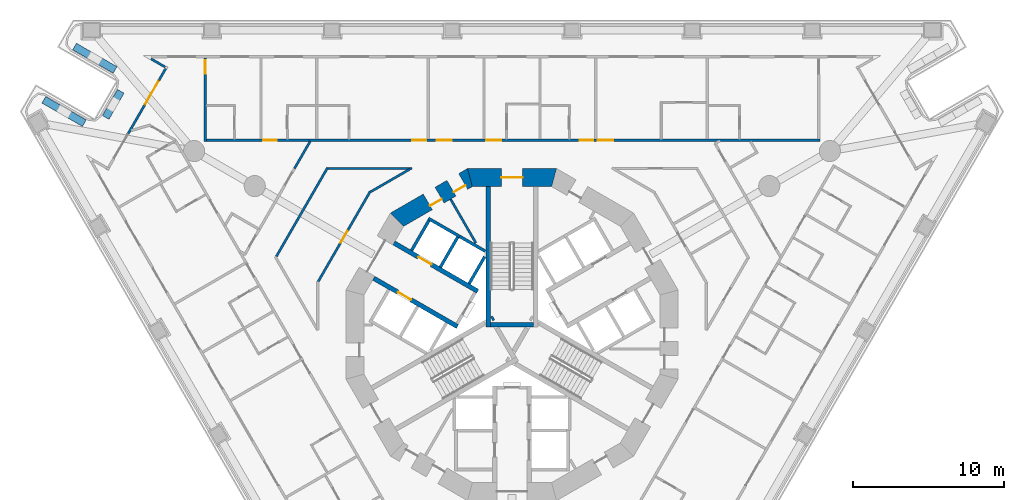
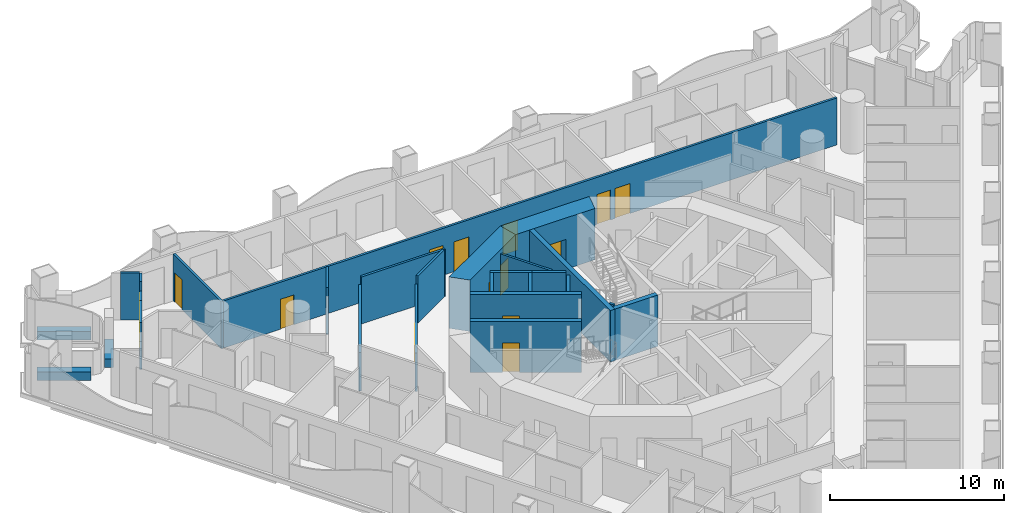
# One storey, part 7 of 20: 27 walls, 14 doors, 14 openings.
"""IFC4 building model written with IfcOpenShell, lengths in metres."""

from ifc_helpers import new_model, si_unit, direction, frame, frame_2d, origin, place, context, subcontext, project, spatial, polyline, rectangle, outline, extrude, material, layer, layer_set, type_object, element, fill, save


model = new_model("IFC4")

# Units and contexts
model_context = context("Model", 3, precision=1e-05, world=origin(), true_north=direction((0.0, 1.0)))
body_context = subcontext(model_context, "Body", "Model", "MODEL_VIEW")
ifc_project = project(units=[si_unit("LENGTHUNIT", "METRE"), si_unit("AREAUNIT", "SQUARE_METRE"), si_unit("VOLUMEUNIT", "CUBIC_METRE"), si_unit("PLANEANGLEUNIT", "RADIAN"), si_unit("MASSUNIT", "GRAM", prefix="KILO")], contexts=[model_context])

# Site, building, storey
site_placement = place(None, origin())
site = spatial("IfcSite", under=ifc_project, at=site_placement, CompositionType="ELEMENT")
building_placement = place(site_placement, origin())
building = spatial("IfcBuilding", under=site, at=building_placement, Name="Trine Commons Tower", CompositionType="ELEMENT")
storey_placement = place(building_placement, frame((0.0, 0.0, 38.699951171875)))
storey = spatial("IfcBuildingStorey", under=building, at=storey_placement, Name="L08", CompositionType="ELEMENT", Elevation=38.699951171875)

# Walls
ifc_material_1 = material(Name="Plasterboard partition on steel studs", Category="steel")
ifc_layer_1 = layer(ifc_material_1, 0.14990234375)
ifc_layer_set_1 = layer_set([ifc_layer_1], Name="Plasterboard partition on steel studs")
wall_type_1 = type_object("IfcWallType", Name="Core room partition 150 mm, EI 60", PredefinedType="PARTITIONING", material=ifc_layer_set_1)
wall_1_placement = place(storey_placement, frame((75.928955078125, 71.47900390625, 0.0), z_axis=(0.0, 0.0, 1.0), x_axis=(0.499985139611, -0.866033983264, 0.0)))
element("IfcWall", 1, at=wall_1_placement, inside=storey, type_object=wall_type_1, Name="Core room partition L08", PredefinedType="PARTITIONING", context=body_context, shape_type="SweptSolid", body=[
    extrude(rectangle(XDim=3.35205078125, YDim=0.14990234375, at=frame_2d((1.676025390625, 0.0))), origin(), (0.0, 0.0, 1.0), 3.300048828125),
])
ifc_material_2 = material(Name="Aluminium-framed insulated wall panel", Category="aluminium")
ifc_layer_2 = layer(ifc_material_2, 0.14990234375)
ifc_layer_set_2 = layer_set([ifc_layer_2], Name="Aluminium-framed insulated wall panel")
wall_type_2 = type_object("IfcWallType", Name="Glazed frame wall 150, EI 60", PredefinedType="SOLIDWALL", material=ifc_layer_set_2)
wall_2_placement = place(storey_placement, frame((54.54150390625, 75.81298828125, 0.0), z_axis=(0.0, 0.0, 1.0), x_axis=(0.499994660107, 0.866028486751, 0.0)))
element("IfcWall", 2, at=wall_2_placement, inside=storey, type_object=wall_type_2, Name="Glazed frame wall P1.3", PredefinedType="SOLIDWALL", context=body_context, shape_type="SweptSolid", body=[
    extrude(outline(polyline([(0.0, -0.074951171875), (2.199951171875, -0.074951171875), (2.199951171875, 0.074951171875), (0.0, 0.074951171875), (0.0, -0.074951171875)])), origin(), (0.0, 0.0, 1.0), 3.300048828125),
])

# Wall, opening, door
wall_3_placement = place(storey_placement, frame((55.641357421875, 77.718017578125, 0.0), z_axis=(0.0, 0.0, 1.0), x_axis=(0.499967155389, 0.866044365799, 0.0)))
wall_3 = element("IfcWall", 3, at=wall_3_placement, inside=storey, type_object=wall_type_2, Name="Glazed frame wall P1.4", PredefinedType="SOLIDWALL", context=body_context, shape_type="SweptSolid", body=[
    extrude(outline(polyline([(0.0, -0.074951171875), (1.89990234375, -0.074951171875), (1.89990234375, 0.074951171875), (0.0, 0.074951171875), (0.0, -0.074951171875)])), origin(), (0.0, 0.0, 1.0), 2.650146484375),
])
opening_1_placement = place(wall_3_placement, frame((0.050048828125, 0.0, 0.0)))
opening_1 = element("IfcOpeningElement", 4, at=opening_1_placement, cuts=wall_3, Name="Opening BD-1P1-02", PredefinedType="OPENING", context=body_context, shape_type="SweptSolid", body=[
    extrude(rectangle(XDim=1.800048828125, YDim=2.60009765625, at=frame_2d((0.89990234375, 1.300048828125))), frame((0.0, 0.0849609375, 0.0), z_axis=(0.0, -1.0, 0.0), x_axis=(1.0, 0.0, 0.0)), (0.0, 0.0, 1.0), 0.169921875),
])
ifc_material_3 = material(Name="Anodised aluminium frame with double glazing", Category="aluminium")
door_type_1 = type_object("IfcDoorType", Name="Sliding loggia door 1800x2600", OperationType="SLIDING_TO_LEFT", PredefinedType="DOOR", material=ifc_material_3)
door_1_placement = place(opening_1_placement, origin())
door_1 = element("IfcDoor", 5, at=door_1_placement, inside=storey, type_object=door_type_1, Name="Loggia door P1 2", OperationType="SLIDING_TO_LEFT", OverallHeight=2.60009765625, OverallWidth=1.800048828125, PredefinedType="DOOR", context=body_context, shape_type="SweptSolid", body=[
    extrude(rectangle(XDim=1.800048828125, YDim=2.60009765625, at=frame_2d((0.89990234375, 1.300048828125))), frame((0.0, 0.02490234375, 0.0), z_axis=(0.0, -1.0, 0.0), x_axis=(1.0, 0.0, 0.0)), (0.0, 0.0, 1.0), 0.050048828125),
])
fill(opening_1, door_1)

# Walls
wall_4_placement = place(storey_placement, frame((56.59130859375, 79.363525390625, 0.0), z_axis=(0.0, 0.0, 1.0), x_axis=(0.50002537861, 0.866010750942, 0.0)))
element("IfcWall", 6, at=wall_4_placement, inside=storey, type_object=wall_type_2, Name="Glazed frame wall P1.5", PredefinedType="SOLIDWALL", context=body_context, shape_type="SweptSolid", body=[
    extrude(outline(polyline([(0.889892578125, 0.074951171875), (0.0, 0.074951171875), (0.0, -0.074951171875), (0.889892578125, -0.074951171875), (0.889892578125, 0.074951171875)])), origin(), (0.0, 0.0, 1.0), 3.300048828125),
])
wall_5_placement = place(storey_placement, frame((57.104248046875, 80.181884765625, 0.0), z_axis=(0.0, 0.0, 1.0), x_axis=(-0.86606770004, 0.49992673358, 0.0)))
element("IfcWall", 7, at=wall_5_placement, inside=storey, type_object=wall_type_2, Name="Glazed frame wall R3", PredefinedType="SOLIDWALL", context=body_context, shape_type="SweptSolid", body=[
    extrude(outline(polyline([(0.110107421875, 0.074951171875), (0.110107421875, -0.074951171875), (1.19580078125, -0.074951171875), (1.19580078125, 0.074951171875), (0.110107421875, 0.074951171875)])), origin(), (0.0, 0.0, 1.0), 3.300048828125),
])
ifc_material_4 = material(Name="Planter trough, precast concrete C40/50", Category="concrete")
ifc_layer_3 = layer(ifc_material_4, 0.5)
ifc_layer_set_3 = layer_set([ifc_layer_3], Name="Planter trough, precast concrete C40/50")
wall_type_3 = type_object("IfcWallType", Name="Planter trough 500x600", PredefinedType="PARAPET", material=ifc_layer_set_3)
wall_6_placement = place(storey_placement, frame((48.95556640625, 78.068115234375, 0.0), z_axis=(0.0, 0.0, 1.0), x_axis=(0.86602952684, -0.49999285859, 0.0)))
element("IfcWall", 8, at=wall_6_placement, inside=storey, type_object=wall_type_3, Name="Planter 1", PredefinedType="PARAPET", context=body_context, shape_type="SweptSolid", body=[
    extrude(rectangle(XDim=3.10009765625, YDim=0.5, at=frame_2d((1.550048828125, 0.0))), origin(), (0.0, 0.0, 1.0), 0.60009765625),
])
wall_7_placement = place(storey_placement, frame((53.060791015625, 76.898681640625, 0.0), z_axis=(0.0, 0.0, 1.0), x_axis=(0.50002537861, 0.866010750942, 0.0)))
element("IfcWall", 9, at=wall_7_placement, inside=storey, type_object=wall_type_3, Name="Planter 2", PredefinedType="PARAPET", context=body_context, shape_type="SweptSolid", body=[
    extrude(rectangle(XDim=2.0, YDim=0.5, at=frame_2d((1.0, 0.0))), origin(), (0.0, 0.0, 1.0), 0.60009765625),
])
wall_8_placement = place(storey_placement, frame((53.680419921875, 80.05126953125, 0.0), z_axis=(0.0, 0.0, 1.0), x_axis=(-0.86602952684, 0.49999285859, 0.0)))
element("IfcWall", 10, at=wall_8_placement, inside=storey, type_object=wall_type_3, Name="Planter 3", PredefinedType="PARAPET", context=body_context, shape_type="SweptSolid", body=[
    extrude(rectangle(XDim=3.10009765625, YDim=0.5, at=frame_2d((1.550048828125, 0.0))), origin(), (0.0, 0.0, 1.0), 0.60009765625),
])

# Wall, opening, door
ifc_material_5 = material(Name="Concrete C80/95", Category="concrete")
ifc_layer_4 = layer(ifc_material_5, 1.199951171875)
ifc_layer_set_4 = layer_set([ifc_layer_4], Name="Concrete C80/95")
wall_type_4 = type_object("IfcWallType", Name="RC shear wall 1200 mm, C80/95", PredefinedType="SHEAR", material=ifc_layer_set_4)
wall_9_placement = place(storey_placement, frame((82.950439453125, 72.91162109375, 0.0), z_axis=(0.0, 0.0, 1.0), x_axis=(-1.0, 0.0, 0.0)))
wall_9 = element("IfcWall", 11, at=wall_9_placement, inside=storey, type_object=wall_type_4, Name="Core wall CWA-04 L08", PredefinedType="SHEAR", context=body_context, shape_type="SweptSolid", body=[
    extrude(outline(polyline([(0.0, -0.60009765625), (5.90087890625, -0.60009765625), (5.57958984375, 0.60009765625), (0.321533203125, 0.60009765625), (0.0, -0.60009765625)])), origin(), (0.0, 0.0, 1.0), 3.60009765625),
])
opening_2_placement = place(wall_9_placement, frame((2.25048828125, 0.0, 0.0)))
opening_2 = element("IfcOpeningElement", 12, at=opening_2_placement, cuts=wall_9, Name="Opening K07.01", PredefinedType="OPENING", context=body_context, shape_type="SweptSolid", body=[
    extrude(rectangle(XDim=1.39990234375, YDim=2.10009765625, at=frame_2d((0.699951171875, 1.050048828125))), frame((0.0, 0.60986328125, 0.0), z_axis=(0.0, -1.0, 0.0), x_axis=(1.0, 0.0, 0.0)), (0.0, 0.0, 1.0), 1.219970703125),
])
ifc_material_6 = material(Name="Steel door leaves, fire-rated", Category="steel")
door_type_2 = type_object("IfcDoorType", Name="Stair door, double leaf 1400 x 2100, FD90", OperationType="DOUBLE_DOOR_SINGLE_SWING", PredefinedType="DOOR", material=ifc_material_6)
door_2_placement = place(opening_2_placement, origin())
door_2 = element("IfcDoor", 13, at=door_2_placement, inside=storey, type_object=door_type_2, Name="Stair door to Exit stair ST1A L08", OperationType="DOUBLE_DOOR_SINGLE_SWING", OverallHeight=2.10009765625, OverallWidth=1.39990234375, PredefinedType="DOOR", context=body_context, shape_type="SweptSolid", body=[
    extrude(rectangle(XDim=1.39990234375, YDim=2.10009765625, at=frame_2d((0.699951171875, 1.050048828125))), frame((0.0, 0.02490234375, 0.0), z_axis=(0.0, -1.0, 0.0), x_axis=(1.0, 0.0, 0.0)), (0.0, 0.0, 1.0), 0.050048828125),
])
fill(opening_2, door_2)

# Wall, openings, doors
wall_10_placement = place(storey_placement, frame((77.349609375, 72.991943359375, 0.0), z_axis=(0.0, 0.0, 1.0), x_axis=(-0.866037463336, -0.499979111662, 0.0)))
wall_10 = element("IfcWall", 14, at=wall_10_placement, inside=storey, type_object=wall_type_4, Name="Core wall CWA-05 L08", PredefinedType="SHEAR", context=body_context, shape_type="SweptSolid", body=[
    extrude(outline(polyline([(0.0, -0.60009765625), (5.901123046875, -0.60009765625), (5.57958984375, 0.60009765625), (0.321533203125, 0.60009765625), (0.0, -0.60009765625)])), origin(), (0.0, 0.0, 1.0), 3.60009765625),
])
opening_3_placement = place(wall_10_placement, frame((0.6748046875, 0.0, 0.0)))
opening_3 = element("IfcOpeningElement", 15, at=opening_3_placement, cuts=wall_10, Name="Opening K07.12", PredefinedType="OPENING", context=body_context, shape_type="SweptSolid", body=[
    extrude(rectangle(XDim=0.89990234375, YDim=2.10009765625, at=frame_2d((0.449951171875, 1.050048828125))), frame((0.0, 0.60986328125, 0.0), z_axis=(0.0, -1.0, 0.0), x_axis=(1.0, 0.0, 0.0)), (0.0, 0.0, 1.0), 1.219970703125),
])
opening_4_placement = place(wall_10_placement, frame((2.48681640625, 0.0, 0.0)))
opening_4 = element("IfcOpeningElement", 16, at=opening_4_placement, cuts=wall_10, Name="Opening K07.13", PredefinedType="OPENING", context=body_context, shape_type="SweptSolid", body=[
    extrude(rectangle(XDim=0.89990234375, YDim=2.10009765625, at=frame_2d((0.449951171875, 1.050048828125))), frame((0.0, 0.60986328125, 0.0), z_axis=(0.0, -1.0, 0.0), x_axis=(1.0, 0.0, 0.0)), (0.0, 0.0, 1.0), 1.219970703125),
])
ifc_material_7 = material(Name="Steel door leaf, fire-rated", Category="steel")
door_type_3 = type_object("IfcDoorType", Name="Core room door, single leaf 900 x 2100, FD30S", OperationType="SINGLE_SWING_LEFT", PredefinedType="DOOR", material=ifc_material_7)
door_3_placement = place(opening_3_placement, origin())
door_3 = element("IfcDoor", 17, at=door_3_placement, inside=storey, type_object=door_type_3, Name="Door to Pantry L08", OperationType="SINGLE_SWING_LEFT", OverallHeight=2.10009765625, OverallWidth=0.89990234375, PredefinedType="DOOR", context=body_context, shape_type="SweptSolid", body=[
    extrude(rectangle(XDim=0.89990234375, YDim=2.10009765625, at=frame_2d((0.449951171875, 1.050048828125))), frame((0.0, 0.3251953125, 0.0), z_axis=(0.0, -1.0, 0.0), x_axis=(1.0, 0.0, 0.0)), (0.0, 0.0, 1.0), 0.050048828125),
])
fill(opening_3, door_3)
door_4_placement = place(opening_4_placement, origin())
door_4 = element("IfcDoor", 18, at=door_4_placement, inside=storey, type_object=door_type_3, Name="Door to Comms room L08", OperationType="SINGLE_SWING_LEFT", OverallHeight=2.10009765625, OverallWidth=0.89990234375, PredefinedType="DOOR", context=body_context, shape_type="SweptSolid", body=[
    extrude(rectangle(XDim=0.89990234375, YDim=2.10009765625, at=frame_2d((0.449951171875, 1.050048828125))), frame((0.0, 0.3251953125, 0.0), z_axis=(0.0, -1.0, 0.0), x_axis=(1.0, 0.0, 0.0)), (0.0, 0.0, 1.0), 0.050048828125),
])
fill(opening_4, door_4)

# Wall, opening, door
ifc_layer_5 = layer(ifc_material_5, 0.300048828125)
ifc_layer_set_5 = layer_set([ifc_layer_5], Name="Concrete C80/95")
wall_type_5 = type_object("IfcWallType", Name="RC shear wall 300 mm, C80/95", PredefinedType="SHEAR", material=ifc_layer_set_5)
wall_11_placement = place(storey_placement, frame((76.381103515625, 63.031005859375, 0.0), z_axis=(0.0, 0.0, 1.0), x_axis=(-0.866032150378, 0.499988314375, 0.0)))
wall_11 = element("IfcWall", 19, at=wall_11_placement, inside=storey, type_object=wall_type_5, Name="Core cross wall SWA-01 L08", PredefinedType="SHEAR", context=body_context, shape_type="SweptSolid", body=[
    extrude(rectangle(XDim=6.412353515625, YDim=0.300048828125, at=frame_2d((3.2060546875, 0.0))), origin(), (0.0, 0.0, 1.0), 3.60009765625),
])
opening_5_placement = place(wall_11_placement, frame((3.55029296875, 0.0, 0.0)))
opening_5 = element("IfcOpeningElement", 20, at=opening_5_placement, cuts=wall_11, Name="Opening LD3", PredefinedType="OPENING", context=body_context, shape_type="SweptSolid", body=[
    extrude(rectangle(XDim=1.0, YDim=2.10009765625, at=frame_2d((0.5, 1.050048828125))), frame((0.0, 0.159912109375, 0.0), z_axis=(0.0, -1.0, 0.0), x_axis=(1.0, 0.0, 0.0)), (0.0, 0.0, 1.0), 0.320068359375),
])
ifc_material_8 = material(Name="Stainless steel sliding door leaves", Category="steel")
door_type_4 = type_object("IfcDoorType", Name="Lift landing door, centre-opening sliding 1000 x 2100, FD90", OperationType="DOUBLE_DOOR_SLIDING", PredefinedType="DOOR", material=ifc_material_8)
door_5_placement = place(opening_5_placement, origin())
door_5 = element("IfcDoor", 21, at=door_5_placement, inside=storey, type_object=door_type_4, Name="Lift landing door LR3 L08", OperationType="DOUBLE_DOOR_SLIDING", OverallHeight=2.10009765625, OverallWidth=1.0, PredefinedType="DOOR", context=body_context, shape_type="SweptSolid", body=[
    extrude(rectangle(XDim=1.0, YDim=2.10009765625, at=frame_2d((0.5, 1.050048828125))), frame((0.0, 0.02490234375, 0.0), z_axis=(0.0, -1.0, 0.0), x_axis=(1.0, 0.0, 0.0)), (0.0, 0.0, 1.0), 0.050048828125),
])
fill(opening_5, door_5)

wall_12_placement = place(storey_placement, frame((77.73095703125, 65.368896484375, 0.0), z_axis=(0.0, 0.0, 1.0), x_axis=(-0.866022631842, 0.500004801114, 0.0)))
wall_12 = element("IfcWall", 22, at=wall_12_placement, inside=storey, type_object=wall_type_5, Name="Core cross wall SWA-02 L08", PredefinedType="SHEAR", context=body_context, shape_type="SweptSolid", body=[
    extrude(rectangle(XDim=6.412109375, YDim=0.300048828125, at=frame_2d((3.2060546875, 0.0))), origin(), (0.0, 0.0, 1.0), 3.60009765625),
])
opening_6_placement = place(wall_12_placement, frame((3.55029296875, 0.0, 0.0)))
opening_6 = element("IfcOpeningElement", 23, at=opening_6_placement, cuts=wall_12, Name="Opening LD4", PredefinedType="OPENING", context=body_context, shape_type="SweptSolid", body=[
    extrude(rectangle(XDim=1.0, YDim=2.10009765625, at=frame_2d((0.5, 1.050048828125))), frame((0.0, 0.159912109375, 0.0), z_axis=(0.0, -1.0, 0.0), x_axis=(1.0, 0.0, 0.0)), (0.0, 0.0, 1.0), 0.320068359375),
])
door_6_placement = place(opening_6_placement, origin())
door_6 = element("IfcDoor", 24, at=door_6_placement, inside=storey, type_object=door_type_4, Name="Lift landing door LR4 L08", OperationType="DOUBLE_DOOR_SLIDING", OverallHeight=2.10009765625, OverallWidth=1.0, PredefinedType="DOOR", context=body_context, shape_type="SweptSolid", body=[
    extrude(rectangle(XDim=1.0, YDim=2.10009765625, at=frame_2d((0.5, 1.050048828125))), frame((0.0, 0.02490234375, 0.0), z_axis=(0.0, -1.0, 0.0), x_axis=(1.0, 0.0, 0.0)), (0.0, 0.0, 1.0), 0.050048828125),
])
fill(opening_6, door_6)

# Walls
wall_13_placement = place(storey_placement, frame((78.425048828125, 63.0009765625, 0.0), z_axis=(0.0, 0.0, 1.0), x_axis=(0.0, 1.0, 0.0)))
element("IfcWall", 25, at=wall_13_placement, inside=storey, type_object=wall_type_5, Name="Core cross wall SWA-08 L08", PredefinedType="SHEAR", context=body_context, shape_type="SweptSolid", body=[
    extrude(rectangle(XDim=9.31103515625, YDim=0.300048828125, at=frame_2d((4.655517578125, 0.0))), origin(), (0.0, 0.0, 1.0), 3.60009765625),
])
wall_14_placement = place(storey_placement, frame((78.779052734375, 63.614013671875, 0.0), z_axis=(0.0, 0.0, 1.0), x_axis=(-0.867737973955, -0.497021939713, 0.0)))
element("IfcWall", 26, at=wall_14_placement, inside=storey, type_object=wall_type_5, Name="Core cross wall SWA-09 L08", PredefinedType="SHEAR", context=body_context, shape_type="SweptSolid", body=[
    extrude(rectangle(XDim=0.14892578125, YDim=0.300048828125, at=frame_2d((0.074462890625, 0.0))), origin(), (0.0, 0.0, 1.0), 3.60009765625),
])
wall_15_placement = place(storey_placement, frame((81.425048828125, 63.15087890625, 0.0), z_axis=(0.0, 0.0, 1.0), x_axis=(-1.0, 0.0, 0.0)))
element("IfcWall", 27, at=wall_15_placement, inside=storey, type_object=wall_type_5, Name="Core cross wall SWA-16 L08", PredefinedType="SHEAR", context=body_context, shape_type="SweptSolid", body=[
    extrude(rectangle(XDim=2.85009765625, YDim=0.300048828125, at=frame_2d((1.425048828125, 0.0))), origin(), (0.0, 0.0, 1.0), 3.60009765625),
])
ifc_material_9 = material(Name="Fire-rated gypsum shaft wall system")
ifc_layer_6 = layer(ifc_material_9, 0.199951171875)
ifc_layer_set_6 = layer_set([ifc_layer_6], Name="Fire-rated gypsum shaft wall system")
wall_type_6 = type_object("IfcWallType", Name="Shaft wall 200 mm, EI 120", PredefinedType="PARTITIONING", material=ifc_layer_set_6)
wall_16_placement = place(storey_placement, frame((73.344970703125, 68.073974609375, 0.0), z_axis=(0.0, 0.0, 1.0), x_axis=(0.500215680983, 0.865900844496, 0.0)))
element("IfcWall", 28, at=wall_16_placement, inside=storey, type_object=wall_type_6, Name="Shaft wall L08", PredefinedType="PARTITIONING", context=body_context, shape_type="SweptSolid", body=[
    extrude(rectangle(XDim=2.29931640625, YDim=0.199951171875, at=frame_2d((1.149658203125, 0.0))), origin(), (0.0, 0.0, 1.0), 3.300048828125),
])
wall_17_placement = place(storey_placement, frame((75.2509765625, 66.97412109375, 0.0), z_axis=(0.0, 0.0, 1.0), x_axis=(0.500136062276, 0.86594683394, 0.0)))
element("IfcWall", 29, at=wall_17_placement, inside=storey, type_object=wall_type_6, Name="Shaft wall L08", PredefinedType="PARTITIONING", context=body_context, shape_type="SweptSolid", body=[
    extrude(rectangle(XDim=2.299072265625, YDim=0.199951171875, at=frame_2d((1.1494140625, 0.0))), origin(), (0.0, 0.0, 1.0), 3.300048828125),
])
wall_18_placement = place(storey_placement, frame((76.5380859375, 69.001953125, 0.0), z_axis=(0.0, 0.0, 1.0), x_axis=(-0.866202511239, 0.499693115345, 0.0)))
element("IfcWall", 30, at=wall_18_placement, inside=storey, type_object=wall_type_6, Name="Shaft wall L08", PredefinedType="PARTITIONING", context=body_context, shape_type="SweptSolid", body=[
    extrude(rectangle(XDim=2.4013671875, YDim=0.199951171875, at=frame_2d((1.20068359375, 0.0))), origin(), (0.0, 0.0, 1.0), 3.300048828125),
])
wall_19_placement = place(storey_placement, frame((77.156005859375, 65.8740234375, 0.0), z_axis=(0.0, 0.0, 1.0), x_axis=(0.499865770674, 0.866102887253, 0.0)))
element("IfcWall", 31, at=wall_19_placement, inside=storey, type_object=wall_type_6, Name="Shaft wall L08", PredefinedType="PARTITIONING", context=body_context, shape_type="SweptSolid", body=[
    extrude(rectangle(XDim=2.064453125, YDim=0.199951171875, at=frame_2d((1.0322265625, 0.0))), origin(), (0.0, 0.0, 1.0), 3.300048828125),
])
wall_20_placement = place(storey_placement, frame((78.22509765625, 68.028076171875, 0.0), z_axis=(0.0, 0.0, 1.0), x_axis=(-0.866052014814, 0.499953905513, 0.0)))
element("IfcWall", 32, at=wall_20_placement, inside=storey, type_object=wall_type_6, Name="Shaft wall L08", PredefinedType="PARTITIONING", context=body_context, shape_type="SweptSolid", body=[
    extrude(rectangle(XDim=1.947998046875, YDim=0.199951171875, at=frame_2d((0.97412109375, 0.0))), origin(), (0.0, 0.0, 1.0), 3.300048828125),
])

# Wall, opening, door
ifc_material_10 = material(Name="Gypsum plasterboard on steel stud", Category="steel")
ifc_layer_7 = layer(ifc_material_10, 0.14990234375)
ifc_layer_set_7 = layer_set([ifc_layer_7], Name="Gypsum plasterboard on steel stud")
wall_type_7 = type_object("IfcWallType", Name="Unit and corridor wall 150 mm, EI 60", PredefinedType="PARTITIONING", material=ifc_layer_set_7)
wall_21_placement = place(storey_placement, frame((59.656005859375, 75.31201171875, 0.0), z_axis=(0.0, 0.0, 1.0), x_axis=(0.0, 1.0, 0.0)))
wall_21 = element("IfcWall", 33, at=wall_21_placement, inside=storey, type_object=wall_type_7, Name="Partition 012", PredefinedType="PARTITIONING", context=body_context, shape_type="SweptSolid", body=[
    extrude(rectangle(XDim=5.532958984375, YDim=0.14990234375, at=frame_2d((2.7666015625, 0.0))), origin(), (0.0, 0.0, 1.0), 3.300048828125),
])
opening_7_placement = place(wall_21_placement, frame((4.48291015625, 0.0, 0.0)))
opening_7 = element("IfcOpeningElement", 34, at=opening_7_placement, cuts=wall_21, Name="Opening D-1A07", PredefinedType="OPENING", context=body_context, shape_type="SweptSolid", body=[
    extrude(rectangle(XDim=0.89990234375, YDim=2.10009765625, at=frame_2d((0.449951171875, 1.050048828125))), frame((0.0, 0.0849609375, 0.0), z_axis=(0.0, -1.0, 0.0), x_axis=(1.0, 0.0, 0.0)), (0.0, 0.0, 1.0), 0.169921875),
])
ifc_material_11 = material(Name="Timber fire door set", Category="wood")
door_type_5 = type_object("IfcDoorType", Name="Bedroom door 900 x 2100, FD30S", OperationType="NOTDEFINED", PredefinedType="DOOR", material=ifc_material_11)
door_7_placement = place(opening_7_placement, frame((0.89990234375, 0.0, 0.0), z_axis=(0.0, 0.0, 1.0), x_axis=(-1.0, 0.0, 0.0)))
door_7 = element("IfcDoor", 35, at=door_7_placement, inside=storey, type_object=door_type_5, Name="Door D-1A07", OperationType="SINGLE_SWING_LEFT", OverallHeight=2.10009765625, OverallWidth=0.89990234375, PredefinedType="DOOR", context=body_context, shape_type="SweptSolid", body=[
    extrude(rectangle(XDim=0.89990234375, YDim=2.10009765625, at=frame_2d((0.449951171875, 1.050048828125))), frame((0.0, 0.02490234375, 0.0), z_axis=(0.0, -1.0, 0.0), x_axis=(1.0, 0.0, 0.0)), (0.0, 0.0, 1.0), 0.050048828125),
])
fill(opening_7, door_7)

# Wall, openings, doors
wall_22_placement = place(storey_placement, frame((59.73095703125, 75.386962890625, 0.0), z_axis=(0.0, 0.0, 1.0), x_axis=(1.0, 0.0, 0.0)))
wall_22 = element("IfcWall", 36, at=wall_22_placement, inside=storey, type_object=wall_type_7, Name="Partition 013", PredefinedType="PARTITIONING", context=body_context, shape_type="SweptSolid", body=[
    extrude(rectangle(XDim=40.68798828125, YDim=0.14990234375, at=frame_2d((20.343994140625, 0.0))), origin(), (0.0, 0.0, 1.0), 3.300048828125),
])
opening_8_placement = place(wall_22_placement, frame((3.77392578125, 0.0, 0.0)))
opening_8 = element("IfcOpeningElement", 37, at=opening_8_placement, cuts=wall_22, Name="Opening D-1A08", PredefinedType="OPENING", context=body_context, shape_type="SweptSolid", body=[
    extrude(rectangle(XDim=0.89990234375, YDim=2.10009765625, at=frame_2d((0.449951171875, 1.050048828125))), frame((0.0, 0.0849609375, 0.0), z_axis=(0.0, -1.0, 0.0), x_axis=(1.0, 0.0, 0.0)), (0.0, 0.0, 1.0), 0.169921875),
])
opening_9_placement = place(wall_22_placement, frame((13.669921875, 0.0, 0.0)))
opening_9 = element("IfcOpeningElement", 38, at=opening_9_placement, cuts=wall_22, Name="Opening D-1A09", PredefinedType="OPENING", context=body_context, shape_type="SweptSolid", body=[
    extrude(rectangle(XDim=0.89990234375, YDim=2.10009765625, at=frame_2d((0.449951171875, 1.050048828125))), frame((0.0, 0.0849609375, 0.0), z_axis=(0.0, -1.0, 0.0), x_axis=(1.0, 0.0, 0.0)), (0.0, 0.0, 1.0), 0.169921875),
])
opening_10_placement = place(wall_22_placement, frame((15.27001953125, 0.0, 0.0)))
opening_10 = element("IfcOpeningElement", 39, at=opening_10_placement, cuts=wall_22, Name="Opening D-1A10", PredefinedType="OPENING", context=body_context, shape_type="SweptSolid", body=[
    extrude(rectangle(XDim=1.0, YDim=2.10009765625, at=frame_2d((0.5, 1.050048828125))), frame((0.0, 0.0849609375, 0.0), z_axis=(0.0, -1.0, 0.0), x_axis=(1.0, 0.0, 0.0)), (0.0, 0.0, 1.0), 0.169921875),
])
opening_11_placement = place(wall_22_placement, frame((18.569091796875, 0.0, 0.0)))
opening_11 = element("IfcOpeningElement", 40, at=opening_11_placement, cuts=wall_22, Name="Opening D-1A11", PredefinedType="OPENING", context=body_context, shape_type="SweptSolid", body=[
    extrude(rectangle(XDim=1.0, YDim=2.10009765625, at=frame_2d((0.5, 1.050048828125))), frame((0.0, 0.0849609375, 0.0), z_axis=(0.0, -1.0, 0.0), x_axis=(1.0, 0.0, 0.0)), (0.0, 0.0, 1.0), 0.169921875),
])
opening_12_placement = place(wall_22_placement, frame((24.76708984375, 0.0, 0.0)))
opening_12 = element("IfcOpeningElement", 41, at=opening_12_placement, cuts=wall_22, Name="Opening D-1A12", PredefinedType="OPENING", context=body_context, shape_type="SweptSolid", body=[
    extrude(rectangle(XDim=0.89990234375, YDim=2.10009765625, at=frame_2d((0.449951171875, 1.050048828125))), frame((0.0, 0.0849609375, 0.0), z_axis=(0.0, -1.0, 0.0), x_axis=(1.0, 0.0, 0.0)), (0.0, 0.0, 1.0), 0.169921875),
])
opening_13_placement = place(wall_22_placement, frame((25.967041015625, 0.0, 0.0)))
opening_13 = element("IfcOpeningElement", 42, at=opening_13_placement, cuts=wall_22, Name="Opening D-1A13", PredefinedType="OPENING", context=body_context, shape_type="SweptSolid", body=[
    extrude(rectangle(XDim=1.0, YDim=2.10009765625, at=frame_2d((0.5, 1.050048828125))), frame((0.0, 0.0849609375, 0.0), z_axis=(0.0, -1.0, 0.0), x_axis=(1.0, 0.0, 0.0)), (0.0, 0.0, 1.0), 0.169921875),
])
door_type_6 = type_object("IfcDoorType", Name="Bedroom door 1000 x 2100, FD30S", OperationType="NOTDEFINED", PredefinedType="DOOR", material=ifc_material_11)
door_8_placement = place(opening_11_placement, origin())
door_8 = element("IfcDoor", 43, at=door_8_placement, inside=storey, type_object=door_type_6, Name="Door D-1A11", OperationType="SINGLE_SWING_LEFT", OverallHeight=2.10009765625, OverallWidth=1.0, PredefinedType="DOOR", context=body_context, shape_type="SweptSolid", body=[
    extrude(rectangle(XDim=1.0, YDim=2.10009765625, at=frame_2d((0.5, 1.050048828125))), frame((0.0, 0.02490234375, 0.0), z_axis=(0.0, -1.0, 0.0), x_axis=(1.0, 0.0, 0.0)), (0.0, 0.0, 1.0), 0.050048828125),
])
fill(opening_11, door_8)
door_9_placement = place(opening_13_placement, origin())
door_9 = element("IfcDoor", 44, at=door_9_placement, inside=storey, type_object=door_type_6, Name="Door D-1A13", OperationType="SINGLE_SWING_RIGHT", OverallHeight=2.10009765625, OverallWidth=1.0, PredefinedType="DOOR", context=body_context, shape_type="SweptSolid", body=[
    extrude(rectangle(XDim=1.0, YDim=2.10009765625, at=frame_2d((0.5, 1.050048828125))), frame((0.0, 0.02490234375, 0.0), z_axis=(0.0, -1.0, 0.0), x_axis=(1.0, 0.0, 0.0)), (0.0, 0.0, 1.0), 0.050048828125),
])
fill(opening_13, door_9)
door_10_placement = place(opening_8_placement, origin())
door_10 = element("IfcDoor", 45, at=door_10_placement, inside=storey, type_object=door_type_5, Name="Door D-1A08", OperationType="SINGLE_SWING_LEFT", OverallHeight=2.10009765625, OverallWidth=0.89990234375, PredefinedType="DOOR", context=body_context, shape_type="SweptSolid", body=[
    extrude(rectangle(XDim=0.89990234375, YDim=2.10009765625, at=frame_2d((0.449951171875, 1.050048828125))), frame((0.0, 0.02490234375, 0.0), z_axis=(0.0, -1.0, 0.0), x_axis=(1.0, 0.0, 0.0)), (0.0, 0.0, 1.0), 0.050048828125),
])
fill(opening_8, door_10)
door_11_placement = place(opening_9_placement, origin())
door_11 = element("IfcDoor", 46, at=door_11_placement, inside=storey, type_object=door_type_5, Name="Door D-1A09", OperationType="SINGLE_SWING_LEFT", OverallHeight=2.10009765625, OverallWidth=0.89990234375, PredefinedType="DOOR", context=body_context, shape_type="SweptSolid", body=[
    extrude(rectangle(XDim=0.89990234375, YDim=2.10009765625, at=frame_2d((0.449951171875, 1.050048828125))), frame((0.0, 0.02490234375, 0.0), z_axis=(0.0, -1.0, 0.0), x_axis=(1.0, 0.0, 0.0)), (0.0, 0.0, 1.0), 0.050048828125),
])
fill(opening_9, door_11)
door_12_placement = place(opening_12_placement, origin())
door_12 = element("IfcDoor", 47, at=door_12_placement, inside=storey, type_object=door_type_5, Name="Door D-1A12", OperationType="SINGLE_SWING_RIGHT", OverallHeight=2.10009765625, OverallWidth=0.89990234375, PredefinedType="DOOR", context=body_context, shape_type="SweptSolid", body=[
    extrude(rectangle(XDim=0.89990234375, YDim=2.10009765625, at=frame_2d((0.449951171875, 1.050048828125))), frame((0.0, 0.02490234375, 0.0), z_axis=(0.0, -1.0, 0.0), x_axis=(1.0, 0.0, 0.0)), (0.0, 0.0, 1.0), 0.050048828125),
])
fill(opening_12, door_12)
ifc_material_12 = material(Name="Painted timber", Category="wood")
door_type_7 = type_object("IfcDoorType", Name="Toilet door 1000 x 2100, NOT RATED", OperationType="NOTDEFINED", PredefinedType="DOOR", material=ifc_material_12)
door_13_placement = place(opening_10_placement, origin())
door_13 = element("IfcDoor", 48, at=door_13_placement, inside=storey, type_object=door_type_7, Name="Door D-1A10", OperationType="SINGLE_SWING_LEFT", OverallHeight=2.10009765625, OverallWidth=1.0, PredefinedType="DOOR", context=body_context, shape_type="SweptSolid", body=[
    extrude(rectangle(XDim=1.0, YDim=2.10009765625, at=frame_2d((0.5, 1.050048828125))), frame((0.0, 0.02490234375, 0.0), z_axis=(0.0, -1.0, 0.0), x_axis=(1.0, 0.0, 0.0)), (0.0, 0.0, 1.0), 0.050048828125),
])
fill(opening_10, door_13)

# Walls
wall_23_placement = place(storey_placement, frame((64.37158203125, 67.676025390625, 0.0), z_axis=(0.0, 0.0, 1.0), x_axis=(0.500011931275, 0.86601851515, 0.0)))
element("IfcWall", 49, at=wall_23_placement, inside=storey, type_object=wall_type_7, Name="Partition 030", PredefinedType="PARTITIONING", context=body_context, shape_type="SweptSolid", body=[
    extrude(rectangle(XDim=6.813720703125, YDim=0.14990234375, at=frame_2d((3.40673828125, 0.0))), origin(), (0.0, 0.0, 1.0), 2.699951171875),
])
wall_24_placement = place(storey_placement, frame((65.575927734375, 73.510009765625, 0.0), z_axis=(0.0, 0.0, 1.0), x_axis=(0.499816741327, 0.866131182379, 0.0)))
element("IfcWall", 50, at=wall_24_placement, inside=storey, type_object=wall_type_7, Name="Partition 034", PredefinedType="PARTITIONING", context=body_context, shape_type="SweptSolid", body=[
    extrude(rectangle(XDim=2.092041015625, YDim=0.14990234375, at=frame_2d((1.0458984375, 0.0))), origin(), (0.0, 0.0, 1.0), 3.300048828125),
])

# Wall, opening, door
wall_25_placement = place(storey_placement, frame((67.150390625, 66.01806640625, 0.0), z_axis=(0.0, 0.0, 1.0), x_axis=(0.50000193825, 0.866024284732, 0.0)))
wall_25 = element("IfcWall", 51, at=wall_25_placement, inside=storey, type_object=wall_type_7, Name="Partition 039", PredefinedType="PARTITIONING", context=body_context, shape_type="SweptSolid", body=[
    extrude(rectangle(XDim=6.90625, YDim=0.14990234375, at=frame_2d((3.453125, 0.0))), origin(), (0.0, 0.0, 1.0), 2.699951171875),
])
opening_14_placement = place(wall_25_placement, frame((2.965576171875, 0.0, 0.0)))
opening_14 = element("IfcOpeningElement", 52, at=opening_14_placement, cuts=wall_25, Name="Opening D-1A34", PredefinedType="OPENING", context=body_context, shape_type="SweptSolid", body=[
    extrude(rectangle(XDim=0.89990234375, YDim=2.10009765625, at=frame_2d((0.449951171875, 1.050048828125))), frame((0.0, 0.0849609375, 0.0), z_axis=(0.0, -1.0, 0.0), x_axis=(1.0, 0.0, 0.0)), (0.0, 0.0, 1.0), 0.169921875),
])
door_type_8 = type_object("IfcDoorType", Name="Service door 900 x 2100, FD30S", OperationType="NOTDEFINED", PredefinedType="DOOR", material=ifc_material_11)
door_14_placement = place(opening_14_placement, origin())
door_14 = element("IfcDoor", 53, at=door_14_placement, inside=storey, type_object=door_type_8, Name="Door D-1A34", OperationType="SINGLE_SWING_LEFT", OverallHeight=2.10009765625, OverallWidth=0.89990234375, PredefinedType="DOOR", context=body_context, shape_type="SweptSolid", body=[
    extrude(rectangle(XDim=0.89990234375, YDim=2.10009765625, at=frame_2d((0.449951171875, 1.050048828125))), frame((0.0, 0.02490234375, 0.0), z_axis=(0.0, -1.0, 0.0), x_axis=(1.0, 0.0, 0.0)), (0.0, 0.0, 1.0), 0.050048828125),
])
fill(opening_14, door_14)

# Walls
wall_26_placement = place(storey_placement, frame((67.81591796875, 73.511962890625, 0.0), z_axis=(0.0, 0.0, 1.0), x_axis=(1.0, 0.0, 0.0)))
element("IfcWall", 54, at=wall_26_placement, inside=storey, type_object=wall_type_7, Name="Partition 041", PredefinedType="PARTITIONING", context=body_context, shape_type="SweptSolid", body=[
    extrude(rectangle(XDim=5.55810546875, YDim=0.14990234375, at=frame_2d((2.779052734375, 0.0))), origin(), (0.0, 0.0, 1.0), 3.300048828125),
])
wall_27_placement = place(storey_placement, frame((70.630859375, 71.971435546875, 0.0), z_axis=(0.0, 0.0, 1.0), x_axis=(0.865962665808, 0.500108649621, 0.0)))
element("IfcWall", 55, at=wall_27_placement, inside=storey, type_object=wall_type_7, Name="Partition 047", PredefinedType="PARTITIONING", context=body_context, shape_type="SweptSolid", body=[
    extrude(rectangle(XDim=3.009521484375, YDim=0.14990234375, at=frame_2d((1.5048828125, 0.0))), origin(), (0.0, 0.0, 1.0), 3.300048828125),
])

save(model, "model.ifc")
